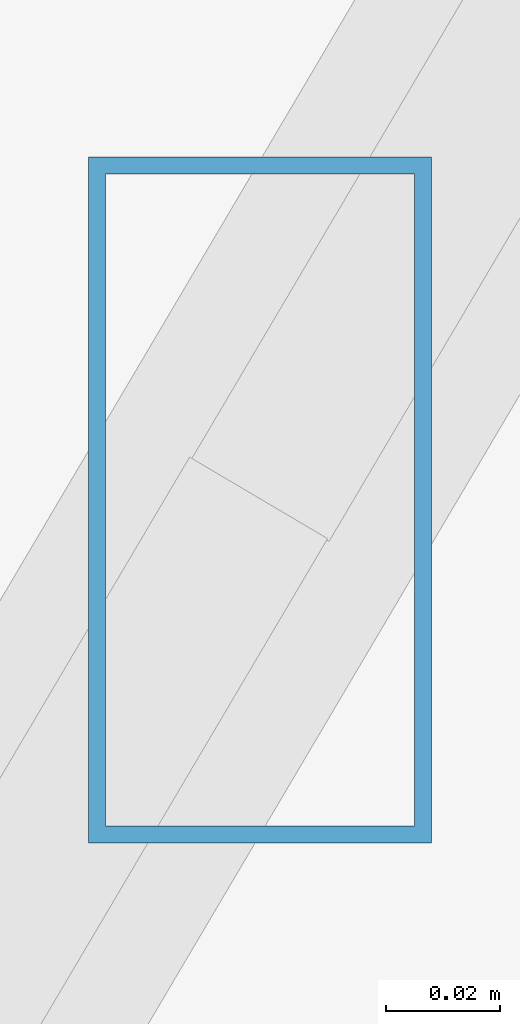
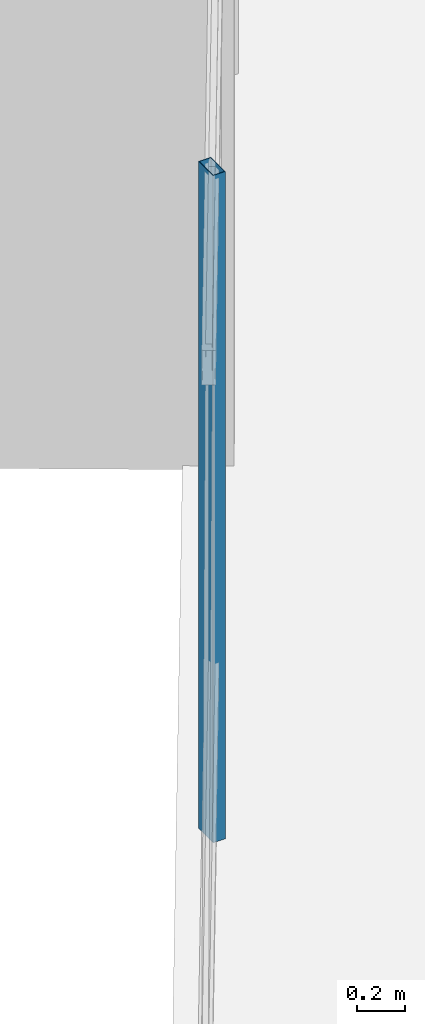
# One storey, part 7 of 45: 1 member, 1 element without a shape of its own.
"""IFC4 building model written with IfcOpenShell, lengths in metres."""

import ifcopenshell
import ifcopenshell.guid

model = None  # the IFC model being written
_history = None  # IfcOwnerHistory: only IFC2X3 demands one
_inside = {}  # id of a spatial element -> (the spatial element, [elements in it])
_under = {}  # id of a project, library or spatial element -> (it, [spatial elements below it])
_declared = {}  # id of a project -> (the project, [libraries it declares])
_typed = {}  # id of a type object -> (the type object, [elements of that type])
_made_of = {}  # id of a material, layer set ... -> (it, [elements and type objects made of it])


def new_model(schema):
    """Start an empty IFC model of exactly this schema.

    Asked for "IFC4X3", IfcOpenShell would pick the latest addendum, in which some entities
    have other attributes; the version numbers below select the first issue.
    IFC2X3 requires an IfcOwnerHistory on every rooted entity: one is made here for all.
    """
    global model, _history
    if schema == "IFC4X3":
        model = ifcopenshell.file(schema_version=(4, 3, 0, 0))
    else:
        model = ifcopenshell.file(schema=schema)
    _inside.clear()
    _under.clear()
    _declared.clear()
    _typed.clear()
    _made_of.clear()
    _history = None
    if model.schema == "IFC2X3":
        org = make("IfcOrganization", Name="unknown")
        user = make(
            "IfcPersonAndOrganization",
            ThePerson=make("IfcPerson", FamilyName="unknown"),
            TheOrganization=org,
        )
        app = make(
            "IfcApplication",
            ApplicationDeveloper=org,
            Version="unknown",
            ApplicationFullName="unknown",
            ApplicationIdentifier="unknown",
        )
        _history = make(
            "IfcOwnerHistory",
            OwningUser=user,
            OwningApplication=app,
            ChangeAction="ADDED",
            CreationDate=0,
        )
    return model


def make(cls, **values):
    """One entity of the class cls with the attributes given. An attribute that is None is left unset."""
    return model.create_entity(
        cls, **{name: value for name, value in values.items() if value is not None}
    )


def rooted(cls, **values):
    """An entity with a GlobalId (a new one), such as an element, a storey or a relation."""
    return make(cls, GlobalId=ifcopenshell.guid.new(), OwnerHistory=_history, **values)


def si_unit(unit_type, name, prefix=None):
    """IfcSIUnit, for example si_unit("LENGTHUNIT", "METRE", prefix="MILLI")."""
    return make("IfcSIUnit", UnitType=unit_type, Prefix=prefix, Name=name)


def assignment(units):
    """IfcUnitAssignment: the units of a project."""
    return None if units is None else make("IfcUnitAssignment", Units=units)


def point(xyz):
    """IfcCartesianPoint."""
    return None if xyz is None else make("IfcCartesianPoint", Coordinates=xyz)


def direction(xyz):
    """IfcDirection."""
    return None if xyz is None else make("IfcDirection", DirectionRatios=xyz)


def frame(location, z_axis=None, x_axis=None):
    """IfcAxis2Placement3D, a coordinate frame: its origin and axes. An axis left out is left unset."""
    return make(
        "IfcAxis2Placement3D",
        Location=point(location),
        Axis=direction(z_axis),
        RefDirection=direction(x_axis),
    )


def frame_2d(location, x_axis=None):
    """IfcAxis2Placement2D, a coordinate frame in the plane: its origin and x axis."""
    return make(
        "IfcAxis2Placement2D", Location=point(location), RefDirection=direction(x_axis)
    )


def origin():
    """The frame at (0, 0, 0) with its axes left unset."""
    return frame((0.0, 0.0, 0.0))


def origin_2d():
    """The frame at (0, 0) in the plane with its x axis left unset."""
    return frame_2d((0.0, 0.0))


def place(relative_to, where):
    """IfcLocalPlacement: puts the frame where relative to a parent placement (None: the world)."""
    return make(
        "IfcLocalPlacement", PlacementRelTo=relative_to, RelativePlacement=where
    )


def context(
    kind, dimensions, precision=None, world=None, true_north=None, identifier=None
):
    """IfcGeometricRepresentationContext, for example the 3D "Model" context."""
    return make(
        "IfcGeometricRepresentationContext",
        ContextIdentifier=identifier,
        ContextType=kind,
        CoordinateSpaceDimension=dimensions,
        Precision=precision,
        WorldCoordinateSystem=world,
        TrueNorth=true_north,
    )


def subcontext(parent, identifier, kind, view, scale=None):
    """IfcGeometricRepresentationSubContext, for example "Body" below "Model"."""
    return make(
        "IfcGeometricRepresentationSubContext",
        ContextIdentifier=identifier,
        ContextType=kind,
        ParentContext=parent,
        TargetScale=scale,
        TargetView=view,
    )


def project(units=None, contexts=None):
    """IfcProject with its units and contexts."""
    return rooted(
        "IfcProject",
        Name="project",
        RepresentationContexts=contexts,
        UnitsInContext=assignment(units),
    )


def spatial(cls, under=None, at=None, **own):
    """A site, building, storey or space (cls), placed at a placement, below another one or the project."""
    s = rooted(cls, ObjectPlacement=at, **own)
    if under is not None:
        _under.setdefault(under.id(), (under, []))[1].append(s)
    return s


def profile(cls, at=None, kind="AREA", **sizes):
    """A parametric profile (cls). Its sizes go by their IFC names, for example OverallWidth=200.0."""
    return make(cls, ProfileType=kind, Position=at, **sizes)


def hollow_rectangle(**sizes):
    """IfcRectangleHollowProfileDef."""
    return profile("IfcRectangleHollowProfileDef", **sizes)


def extrude(swept, where, along, depth):
    """IfcExtrudedAreaSolid: the profile swept, set in the frame where, extruded along a direction by depth."""
    return make(
        "IfcExtrudedAreaSolid",
        SweptArea=swept,
        Position=where,
        ExtrudedDirection=direction(along),
        Depth=depth,
    )


def shape(context_of_items, identifier, shape_type, items):
    """IfcShapeRepresentation: the items that make up one representation, for example the "Body"."""
    return make(
        "IfcShapeRepresentation",
        ContextOfItems=context_of_items,
        RepresentationIdentifier=identifier,
        RepresentationType=shape_type,
        Items=items,
    )


def source(mapping_origin, context_of_items, identifier, shape_type, items):
    """IfcRepresentationMap: a shape defined once, which mapped items show again and again."""
    return make(
        "IfcRepresentationMap",
        MappingOrigin=mapping_origin,
        MappedRepresentation=shape(context_of_items, identifier, shape_type, items),
    )


def transform(
    local_origin,
    x_axis=None,
    y_axis=None,
    z_axis=None,
    scale=None,
    scale2=None,
    scale3=None,
    uniform=True,
):
    """IfcCartesianTransformationOperator3D, or its non-uniform kind. x_axis, y_axis, z_axis: its Axis1, 2, 3."""
    if uniform:
        return make(
            "IfcCartesianTransformationOperator3D",
            Axis1=direction(x_axis),
            Axis2=direction(y_axis),
            LocalOrigin=point(local_origin),
            Scale=scale,
            Axis3=direction(z_axis),
        )
    return make(
        "IfcCartesianTransformationOperator3DnonUniform",
        Axis1=direction(x_axis),
        Axis2=direction(y_axis),
        LocalOrigin=point(local_origin),
        Scale=scale,
        Axis3=direction(z_axis),
        Scale2=scale2,
        Scale3=scale3,
    )


def mapped(mapping_source, mapping_target):
    """IfcMappedItem: shows the shape of a source again, moved by a transform."""
    return make(
        "IfcMappedItem", MappingSource=mapping_source, MappingTarget=mapping_target
    )


def material(Name=None, Category=None):
    """IfcMaterial."""
    return make("IfcMaterial", Name=Name, Category=Category)


def material_profile(
    of_material, cross_section, Name=None, Category=None, Priority=None
):
    """IfcMaterialProfile: a cross section and its material."""
    return make(
        "IfcMaterialProfile",
        Name=Name,
        Material=of_material,
        Profile=cross_section,
        Priority=Priority,
        Category=Category,
    )


def profile_set(profiles, Name=None, composite=None):
    """IfcMaterialProfileSet."""
    return make(
        "IfcMaterialProfileSet",
        Name=Name,
        MaterialProfiles=profiles,
        CompositeProfile=composite,
    )


def made_of(thing, what):
    """Note that an element or type object is made of a material, layer set ...; save() writes the relation."""
    if what is not None:
        _made_of.setdefault(what.id(), (what, []))[1].append(thing)
    return thing


def type_object(cls, material=None, **own):
    """A type object (cls), such as IfcWallType, which elements share."""
    return made_of(rooted(cls, **own), material)


def type_shapes(of_type, sources):
    """Give a type object the sources (RepresentationMaps) that its elements show as mapped items."""
    of_type.RepresentationMaps = sources


def element(
    cls,
    number,
    at=None,
    inside=None,
    cuts=None,
    type_object=None,
    material=None,
    context=None,
    identifier="Body",
    shape_type=None,
    held_by="IfcProductDefinitionShape",
    body=None,
    shapes=None,
    **own,
):
    """One element of the class cls, such as IfcWall. Its Tag is "e" and its number.

    at: its placement. inside: the storey or other place that contains it. cuts: it is an
    opening in that element (IfcRelVoidsElement). A single representation is given by context,
    identifier, shape_type and body (its items); several are given by shapes. held_by: the class
    of the entity that holds the representations. save() writes the other relations.
    """
    e = rooted(cls, Tag="e%d" % number, ObjectPlacement=at, **own)
    if body is not None:
        shapes = [shape(context, identifier, shape_type, body)]
    if shapes is not None:
        e.Representation = make(held_by, Representations=shapes)
    if inside is not None:
        _inside.setdefault(inside.id(), (inside, []))[1].append(e)
    if cuts is not None:
        rooted(
            "IfcRelVoidsElement", RelatingBuildingElement=cuts, RelatedOpeningElement=e
        )
    if type_object is not None:
        _typed.setdefault(type_object.id(), (type_object, []))[1].append(e)
    return made_of(e, material)


def aggregate(whole, parts):
    """IfcRelAggregates: a whole, such as a stair, and the parts it consists of."""
    return rooted("IfcRelAggregates", RelatingObject=whole, RelatedObjects=parts)


def save(model, path):
    """Write the relations noted so far, then the file.

    IfcRelAggregates (storeys below a building ...), IfcRelContainedInSpatialStructure (elements
    in a storey), IfcRelDefinesByType, IfcRelAssociatesMaterial and IfcRelDeclares: one each for
    every whole, place, type object, material and project.
    """
    for whole, parts in _under.values():
        aggregate(whole, parts)
    for where, things in _inside.values():
        rooted(
            "IfcRelContainedInSpatialStructure",
            RelatedElements=things,
            RelatingStructure=where,
        )
    for kind, things in _typed.values():
        rooted("IfcRelDefinesByType", RelatedObjects=things, RelatingType=kind)
    for what, things in _made_of.values():
        rooted("IfcRelAssociatesMaterial", RelatedObjects=things, RelatingMaterial=what)
    for by, libraries in _declared.values():
        rooted("IfcRelDeclares", RelatingContext=by, RelatedDefinitions=libraries)
    model.write(path)


model = new_model("IFC4")

# Units and contexts
model_context = context("Model", 3, precision=1e-05, world=origin(), true_north=direction((0.0, 1.0)))
body_context = subcontext(model_context, "Body", "Model", "MODEL_VIEW")
ifc_project = project(units=[si_unit("LENGTHUNIT", "METRE"), si_unit("AREAUNIT", "SQUARE_METRE"), si_unit("VOLUMEUNIT", "CUBIC_METRE"), si_unit("PLANEANGLEUNIT", "RADIAN"), si_unit("MASSUNIT", "GRAM", prefix="KILO")], contexts=[model_context])

# Site, building, storey
site_placement = place(None, origin())
site = spatial("IfcSite", under=ifc_project, at=site_placement, CompositionType="ELEMENT")
building_placement = place(site_placement, origin())
building = spatial("IfcBuilding", under=site, at=building_placement, Name="Caelisora Broadcast Tower", CompositionType="ELEMENT")
storey_placement = place(building_placement, frame((0.0, 0.0, 262.699951171875)))
storey = spatial("IfcBuildingStorey", under=building, at=storey_placement, Name="L69", CompositionType="ELEMENT", Elevation=262.699951171875)

# Curtain wall, member
ifc_material_1 = material(Name="Unitised Aluminium and Low-E Glass Curtain Wall", Category="glass")
curtain_wall_type = type_object("IfcCurtainWallType", Name="CW-Z5", PredefinedType="NOTDEFINED", material=ifc_material_1)
curtain_wall_placement = place(storey_placement, origin())
curtain_wall = element("IfcCurtainWall", 1, at=curtain_wall_placement, inside=storey, type_object=curtain_wall_type, Name="L69 curtain wall CW-Z5", PredefinedType="NOTDEFINED")
ifc_material_2 = material(Name="Aluminium 6063-T6 Anodised Terracotta Bronze", Category="aluminium")
ifc_material_profile = material_profile(ifc_material_2, hollow_rectangle(XDim=0.06005859375, YDim=0.1201171875, WallThickness=0.0029296875, at=origin_2d()), Name="Aluminium 6063-T6 Anodised Terracotta Bronze")
ifc_profile_set = profile_set([ifc_material_profile], Name="Aluminium 6063-T6 Anodised Terracotta Bronze")
member_type = type_object("IfcMemberType", Name="CWM-04", PredefinedType="MULLION", material=ifc_profile_set)
shared_shape = source(origin(), body_context, "Body", "SweptSolid", [
    extrude(hollow_rectangle(XDim=0.06005859375, YDim=0.1201171875, WallThickness=0.0029296875, at=origin_2d()), origin(), (0.0, 0.0, 1.0), 3.400146484375),
])
type_shapes(member_type, [shared_shape])
member_placement = place(storey_placement, frame((15.146484375, 16.71728515625, 0.0), z_axis=(0.0, 0.0, 1.0), x_axis=(1.0, 0.0, 0.0)))
member = element("IfcMember", 2, at=member_placement, type_object=member_type, Name="L69-CW-B09 mullion #1", PredefinedType="MULLION", context=body_context, shape_type="MappedRepresentation", body=[
    mapped(shared_shape, transform((0.0, 0.0, 0.0), scale=1.0)),
])
aggregate(curtain_wall, [member])

save(model, "model.ifc")
